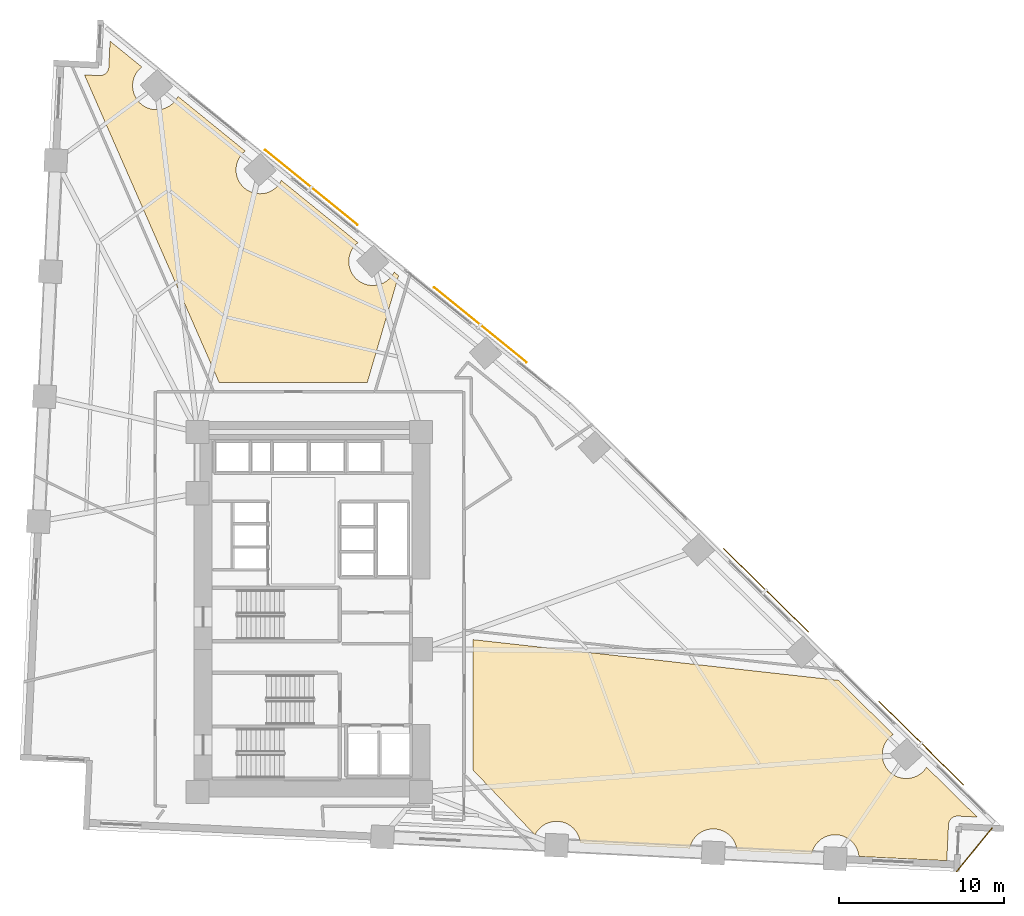
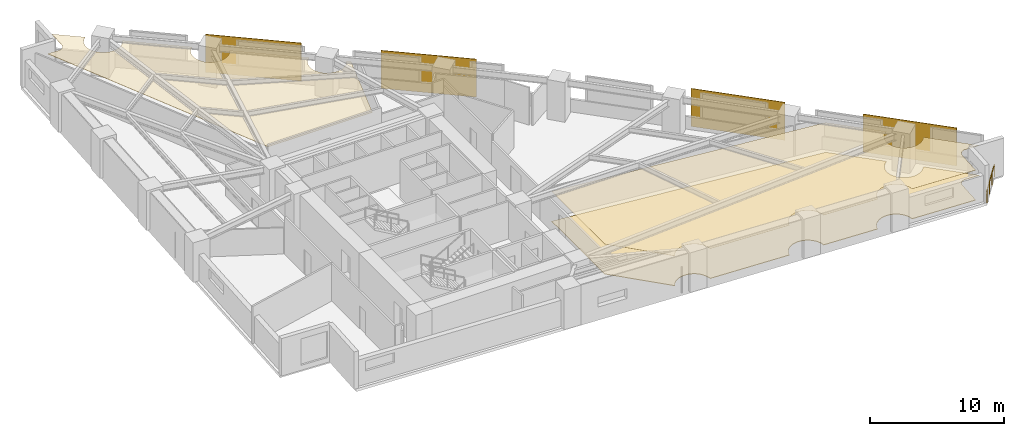
# One storey, part 17 of 17: 4 shading devices, 3 coverings, 1 railing.
"""IFC4 building model written with IfcOpenShell, lengths in metres."""

from ifc_helpers import new_model, si_unit, direction, frame, origin, origin_2d, place, context, subcontext, project, spatial, polyline, rectangle, circle, outline, extrude, material, layer, layer_set, type_object, element, save


model = new_model("IFC4")

# Units and contexts
model_context = context("Model", 3, precision=1e-05, world=origin(), true_north=direction((0.0, 1.0)))
body_context = subcontext(model_context, "Body", "Model", "MODEL_VIEW")
ifc_project = project(units=[si_unit("LENGTHUNIT", "METRE"), si_unit("AREAUNIT", "SQUARE_METRE"), si_unit("VOLUMEUNIT", "CUBIC_METRE"), si_unit("PLANEANGLEUNIT", "RADIAN"), si_unit("MASSUNIT", "GRAM", prefix="KILO")], contexts=[model_context])

# Site, building, storey
site_placement = place(None, origin())
site = spatial("IfcSite", under=ifc_project, at=site_placement, CompositionType="ELEMENT")
building_placement = place(site_placement, origin())
building = spatial("IfcBuilding", under=site, at=building_placement, Name="Narakoshi Arena Tower", CompositionType="ELEMENT")
storey_placement = place(building_placement, frame((0.0, 0.0, 48.300048828125)))
storey = spatial("IfcBuildingStorey", under=building, at=storey_placement, Name="L12", CompositionType="ELEMENT", Elevation=48.300048828125)

# Coverings
ifc_material_1 = material(Name="Acoustic mineral-fibre ceiling tile")
ifc_layer_1 = layer(ifc_material_1, 0.02001953125)
ifc_layer_set_1 = layer_set([ifc_layer_1], Name="Acoustic mineral-fibre ceiling tile")
covering_type_1 = type_object("IfcCoveringType", Name="COV-CLG-AC20", PredefinedType="CEILING", material=ifc_layer_set_1)
covering_1_placement = place(storey_placement, frame((0.0, 0.0, 2.72998046875)))
element("IfcCovering", 1, at=covering_1_placement, inside=storey, type_object=covering_type_1, Name="L12 Suspended Acoustic Ceiling 1", PredefinedType="CEILING", context=body_context, shape_type="SweptSolid", body=[
    extrude(outline(polyline([(118.080810546875, 33.24267578125), (118.02685546875, 33.24267578125), (117.97314453125, 33.2373046875), (117.920166015625, 33.226806640625), (117.868408203125, 33.2109375), (117.818603515625, 33.190185546875), (117.77099609375, 33.164794921875), (117.726318359375, 33.134765625), (117.6845703125, 33.100341796875), (117.646484375, 33.062255859375), (117.6123046875, 33.0205078125), (117.582275390625, 32.9755859375), (117.556884765625, 32.927978515625), (117.536376953125, 32.8779296875), (117.520751953125, 32.826416015625), (117.51025390625, 32.7734375), (117.5048828125, 32.7197265625), (117.400390625, 30.542236328125), (112.07958984375, 30.7978515625), (112.079345703125, 30.803955078125), (112.05859375, 30.94482421875), (112.02392578125, 31.082763671875), (111.97607421875, 31.216796875), (111.915283203125, 31.345458984375), (111.842041015625, 31.467529296875), (111.75732421875, 31.581787109375), (111.66162109375, 31.687255859375), (111.556396484375, 31.78271484375), (111.44189453125, 31.867431640625), (111.31982421875, 31.940673828125), (111.19140625, 32.00146484375), (111.057373046875, 32.049560546875), (110.919189453125, 32.083984375), (110.778564453125, 32.10498046875), (110.636474609375, 32.11181640625), (110.494384765625, 32.10498046875), (110.353515625, 32.083984375), (110.215576171875, 32.049560546875), (110.08154296875, 32.00146484375), (109.952880859375, 31.940673828125), (109.830810546875, 31.867431640625), (109.716552734375, 31.78271484375), (109.611083984375, 31.687255859375), (109.515380859375, 31.581787109375), (109.430908203125, 31.467529296875), (109.357666015625, 31.345458984375), (109.296875, 31.216796875), (109.248779296875, 31.082763671875), (109.21435546875, 30.94482421875), (109.212890625, 30.935546875), (104.6962890625, 31.15234375), (104.69580078125, 31.15869140625), (104.675048828125, 31.29931640625), (104.640380859375, 31.4375), (104.592529296875, 31.5712890625), (104.53173828125, 31.699951171875), (104.45849609375, 31.822021484375), (104.373779296875, 31.936279296875), (104.2783203125, 32.041748046875), (104.1728515625, 32.137451171875), (104.05859375, 32.22216796875), (103.936279296875, 32.29541015625), (103.807861328125, 32.356201171875), (103.673828125, 32.404052734375), (103.535888671875, 32.438720703125), (103.39501953125, 32.45947265625), (103.2529296875, 32.466552734375), (103.11083984375, 32.45947265625), (102.969970703125, 32.438720703125), (102.83203125, 32.404052734375), (102.697998046875, 32.356201171875), (102.5693359375, 32.29541015625), (102.447265625, 32.22216796875), (102.3330078125, 32.137451171875), (102.2275390625, 32.041748046875), (102.132080078125, 31.936279296875), (102.04736328125, 31.822021484375), (101.97412109375, 31.699951171875), (101.913330078125, 31.5712890625), (101.865234375, 31.4375), (101.830810546875, 31.29931640625), (101.829345703125, 31.290283203125), (95.203125, 31.6083984375), (95.202880859375, 31.614501953125), (95.181884765625, 31.75537109375), (95.1474609375, 31.893310546875), (95.099609375, 32.02734375), (95.038818359375, 32.156005859375), (94.965576171875, 32.278076171875), (94.880859375, 32.392333984375), (94.78515625, 32.497802734375), (94.6796875, 32.593505859375), (94.5654296875, 32.677978515625), (94.443359375, 32.751220703125), (94.314697265625, 32.81201171875), (94.180908203125, 32.860107421875), (94.042724609375, 32.89453125), (93.902099609375, 32.91552734375), (93.760009765625, 32.922607421875), (93.617919921875, 32.91552734375), (93.47705078125, 32.89453125), (93.339111328125, 32.860107421875), (93.205078125, 32.81201171875), (93.076416015625, 32.751220703125), (92.954345703125, 32.677978515625), (92.840087890625, 32.593505859375), (92.734619140625, 32.497802734375), (92.638916015625, 32.392333984375), (92.55419921875, 32.278076171875), (92.481201171875, 32.156005859375), (92.454833984375, 32.100341796875), (88.699951171875, 36.036376953125), (88.699951171875, 43.932861328125), (108.492919921875, 41.730224609375), (108.501708984375, 41.72900390625), (108.5068359375, 41.728515625), (110.827880859375, 41.47021484375), (114.159912109375, 38.189453125), (114.13671875, 38.175537109375), (114.022216796875, 38.0908203125), (113.9169921875, 37.9951171875), (113.8212890625, 37.889892578125), (113.736572265625, 37.775390625), (113.663330078125, 37.6533203125), (113.6025390625, 37.52490234375), (113.5546875, 37.390869140625), (113.52001953125, 37.252685546875), (113.499267578125, 37.112060546875), (113.4921875, 36.969970703125), (113.499267578125, 36.827880859375), (113.52001953125, 36.68701171875), (113.5546875, 36.549072265625), (113.6025390625, 36.4150390625), (113.663330078125, 36.286376953125), (113.736572265625, 36.164306640625), (113.8212890625, 36.050048828125), (113.9169921875, 35.944580078125), (114.022216796875, 35.84912109375), (114.13671875, 35.764404296875), (114.2587890625, 35.691162109375), (114.38720703125, 35.63037109375), (114.521240234375, 35.582275390625), (114.6591796875, 35.5478515625), (114.800048828125, 35.52685546875), (114.942138671875, 35.52001953125), (115.084228515625, 35.52685546875), (115.22509765625, 35.5478515625), (115.363037109375, 35.582275390625), (115.4970703125, 35.63037109375), (115.625732421875, 35.691162109375), (115.747802734375, 35.764404296875), (115.862060546875, 35.84912109375), (115.967529296875, 35.944580078125), (116.06298828125, 36.050048828125), (116.147705078125, 36.164306640625), (116.17333984375, 36.206787109375), (119.239990234375, 33.18701171875), (118.080810546875, 33.24267578125)])), origin(), (0.0, 0.0, 1.0), 0.02001953125),
])
ifc_material_2 = material(Name="Slatted oak acoustic timber baffle", Category="wood")
ifc_layer_2 = layer(ifc_material_2, 0.034912109375)
ifc_layer_set_2 = layer_set([ifc_layer_2], Name="Slatted oak acoustic timber baffle")
covering_type_2 = type_object("IfcCoveringType", Name="COV-CLG-WD35", PredefinedType="CEILING", material=ifc_layer_set_2)
covering_2_placement = place(storey_placement, frame((0.0, 0.0, 2.71484375)))
element("IfcCovering", 2, at=covering_2_placement, inside=storey, type_object=covering_type_2, Name="L12 Suspended Acoustic Ceiling 2", PredefinedType="CEILING", context=body_context, shape_type="SweptSolid", body=[
    extrude(outline(polyline([(66.1171875, 78.10009765625), (66.1708984375, 78.10546875), (66.2236328125, 78.1162109375), (66.275390625, 78.1318359375), (66.3251953125, 78.152587890625), (66.372802734375, 78.177978515625), (66.41748046875, 78.2080078125), (66.459228515625, 78.242431640625), (66.497314453125, 78.280517578125), (66.531494140625, 78.322509765625), (66.5615234375, 78.3671875), (66.5869140625, 78.414794921875), (66.607666015625, 78.46484375), (66.623291015625, 78.516357421875), (66.633544921875, 78.5693359375), (66.638916015625, 78.623046875), (66.7138671875, 80.185302734375), (68.63623046875, 78.622802734375), (68.611083984375, 78.60400390625), (68.505615234375, 78.508544921875), (68.41015625, 78.403076171875), (68.325439453125, 78.288818359375), (68.252197265625, 78.166748046875), (68.19140625, 78.0380859375), (68.143310546875, 77.904052734375), (68.10888671875, 77.76611328125), (68.087890625, 77.625244140625), (68.0810546875, 77.483154296875), (68.087890625, 77.341064453125), (68.10888671875, 77.2001953125), (68.143310546875, 77.062255859375), (68.19140625, 76.92822265625), (68.252197265625, 76.7998046875), (68.325439453125, 76.677490234375), (68.41015625, 76.563232421875), (68.505615234375, 76.4580078125), (68.611083984375, 76.3623046875), (68.725341796875, 76.277587890625), (68.847412109375, 76.204345703125), (68.97607421875, 76.1435546875), (69.110107421875, 76.095703125), (69.248046875, 76.06103515625), (69.388916015625, 76.040283203125), (69.531005859375, 76.033203125), (69.673095703125, 76.040283203125), (69.81396484375, 76.06103515625), (69.951904296875, 76.095703125), (70.0859375, 76.1435546875), (70.214599609375, 76.204345703125), (70.336669921875, 76.277587890625), (70.450927734375, 76.3623046875), (70.556396484375, 76.4580078125), (70.65185546875, 76.563232421875), (70.736572265625, 76.677490234375), (70.809814453125, 76.7998046875), (70.8291015625, 76.84033203125), (74.899658203125, 73.531982421875), (74.87451171875, 73.51318359375), (74.76904296875, 73.417724609375), (74.67333984375, 73.312255859375), (74.588623046875, 73.197998046875), (74.515380859375, 73.075927734375), (74.45458984375, 72.947265625), (74.40673828125, 72.813232421875), (74.372314453125, 72.67529296875), (74.351318359375, 72.534423828125), (74.34423828125, 72.392333984375), (74.351318359375, 72.250244140625), (74.372314453125, 72.109619140625), (74.40673828125, 71.971435546875), (74.45458984375, 71.83740234375), (74.515380859375, 71.708984375), (74.588623046875, 71.5869140625), (74.67333984375, 71.472412109375), (74.76904296875, 71.3671875), (74.87451171875, 71.271484375), (74.98876953125, 71.186767578125), (75.11083984375, 71.113525390625), (75.239501953125, 71.052734375), (75.373291015625, 71.0048828125), (75.511474609375, 70.97021484375), (75.652099609375, 70.949462890625), (75.794189453125, 70.9423828125), (75.936279296875, 70.949462890625), (76.0771484375, 70.97021484375), (76.215087890625, 71.0048828125), (76.34912109375, 71.052734375), (76.477783203125, 71.113525390625), (76.599853515625, 71.186767578125), (76.714111328125, 71.271484375), (76.819580078125, 71.3671875), (76.915283203125, 71.472412109375), (77.0, 71.5869140625), (77.072998046875, 71.708984375), (77.09228515625, 71.74951171875), (81.732421875, 67.978271484375), (81.70703125, 67.959716796875), (81.601806640625, 67.864013671875), (81.506103515625, 67.758544921875), (81.42138671875, 67.644287109375), (81.34814453125, 67.522216796875), (81.287353515625, 67.3935546875), (81.239501953125, 67.259521484375), (81.204833984375, 67.12158203125), (81.18408203125, 66.980712890625), (81.177001953125, 66.838623046875), (81.18408203125, 66.696533203125), (81.204833984375, 66.555908203125), (81.239501953125, 66.417724609375), (81.287353515625, 66.28369140625), (81.34814453125, 66.1552734375), (81.42138671875, 66.033203125), (81.506103515625, 65.918701171875), (81.601806640625, 65.8134765625), (81.70703125, 65.7177734375), (81.8212890625, 65.633056640625), (81.943603515625, 65.559814453125), (82.072021484375, 65.4990234375), (82.2060546875, 65.451171875), (82.343994140625, 65.41650390625), (82.48486328125, 65.395751953125), (82.626953125, 65.388671875), (82.76904296875, 65.395751953125), (82.909912109375, 65.41650390625), (83.0478515625, 65.451171875), (83.181884765625, 65.4990234375), (83.310546875, 65.559814453125), (83.4326171875, 65.633056640625), (83.546875, 65.7177734375), (83.65234375, 65.8134765625), (83.747802734375, 65.918701171875), (83.83251953125, 66.033203125), (83.90576171875, 66.1552734375), (83.925048828125, 66.196044921875), (84.192626953125, 65.978515625), (82.292236328125, 59.5), (73.326416015625, 59.5), (65.161865234375, 78.143310546875), (66.06298828125, 78.10009765625), (66.1171875, 78.10009765625)])), origin(), (0.0, 0.0, 1.0), 0.03515625),
])
ifc_material_3 = material(Name="Raised steel access floor panel", Category="steel")
ifc_layer_3 = layer(ifc_material_3, 0.044921875)
ifc_layer_set_3 = layer_set([ifc_layer_3], Name="Raised steel access floor panel")
covering_type_3 = type_object("IfcCoveringType", Name="COV-FLR-RF45", PredefinedType="FLOORING", material=ifc_layer_set_3)
covering_3_placement = place(storey_placement, origin())
element("IfcCovering", 3, at=covering_3_placement, inside=storey, type_object=covering_type_3, Name="L12 Raised Steel Access Floor", PredefinedType="FLOORING", context=body_context, shape_type="SweptSolid", body=[
    extrude(outline(polyline([(118.080810546875, 33.24267578125), (118.02685546875, 33.24267578125), (117.97314453125, 33.2373046875), (117.920166015625, 33.226806640625), (117.868408203125, 33.2109375), (117.818603515625, 33.190185546875), (117.77099609375, 33.164794921875), (117.726318359375, 33.134765625), (117.6845703125, 33.100341796875), (117.646484375, 33.062255859375), (117.6123046875, 33.0205078125), (117.582275390625, 32.9755859375), (117.556884765625, 32.927978515625), (117.536376953125, 32.8779296875), (117.520751953125, 32.826416015625), (117.51025390625, 32.7734375), (117.5048828125, 32.7197265625), (117.400390625, 30.542236328125), (112.07958984375, 30.7978515625), (112.079345703125, 30.803955078125), (112.05859375, 30.94482421875), (112.02392578125, 31.082763671875), (111.97607421875, 31.216796875), (111.915283203125, 31.345458984375), (111.842041015625, 31.467529296875), (111.75732421875, 31.581787109375), (111.66162109375, 31.687255859375), (111.556396484375, 31.78271484375), (111.44189453125, 31.867431640625), (111.31982421875, 31.940673828125), (111.19140625, 32.00146484375), (111.057373046875, 32.049560546875), (110.919189453125, 32.083984375), (110.778564453125, 32.10498046875), (110.636474609375, 32.11181640625), (110.494384765625, 32.10498046875), (110.353515625, 32.083984375), (110.215576171875, 32.049560546875), (110.08154296875, 32.00146484375), (109.952880859375, 31.940673828125), (109.830810546875, 31.867431640625), (109.716552734375, 31.78271484375), (109.611083984375, 31.687255859375), (109.515380859375, 31.581787109375), (109.430908203125, 31.467529296875), (109.357666015625, 31.345458984375), (109.296875, 31.216796875), (109.248779296875, 31.082763671875), (109.21435546875, 30.94482421875), (109.212890625, 30.935546875), (104.6962890625, 31.15234375), (104.69580078125, 31.15869140625), (104.675048828125, 31.29931640625), (104.640380859375, 31.4375), (104.592529296875, 31.5712890625), (104.53173828125, 31.699951171875), (104.45849609375, 31.822021484375), (104.373779296875, 31.936279296875), (104.2783203125, 32.041748046875), (104.1728515625, 32.137451171875), (104.05859375, 32.22216796875), (103.936279296875, 32.29541015625), (103.807861328125, 32.356201171875), (103.673828125, 32.404052734375), (103.535888671875, 32.438720703125), (103.39501953125, 32.45947265625), (103.2529296875, 32.466552734375), (103.11083984375, 32.45947265625), (102.969970703125, 32.438720703125), (102.83203125, 32.404052734375), (102.697998046875, 32.356201171875), (102.5693359375, 32.29541015625), (102.447265625, 32.22216796875), (102.3330078125, 32.137451171875), (102.2275390625, 32.041748046875), (102.132080078125, 31.936279296875), (102.04736328125, 31.822021484375), (101.97412109375, 31.699951171875), (101.913330078125, 31.5712890625), (101.865234375, 31.4375), (101.830810546875, 31.29931640625), (101.829345703125, 31.290283203125), (95.203125, 31.6083984375), (95.202880859375, 31.614501953125), (95.181884765625, 31.75537109375), (95.1474609375, 31.893310546875), (95.099609375, 32.02734375), (95.038818359375, 32.156005859375), (94.965576171875, 32.278076171875), (94.880859375, 32.392333984375), (94.78515625, 32.497802734375), (94.6796875, 32.593505859375), (94.5654296875, 32.677978515625), (94.443359375, 32.751220703125), (94.314697265625, 32.81201171875), (94.180908203125, 32.860107421875), (94.042724609375, 32.89453125), (93.902099609375, 32.91552734375), (93.760009765625, 32.922607421875), (93.617919921875, 32.91552734375), (93.47705078125, 32.89453125), (93.339111328125, 32.860107421875), (93.205078125, 32.81201171875), (93.076416015625, 32.751220703125), (92.954345703125, 32.677978515625), (92.840087890625, 32.593505859375), (92.734619140625, 32.497802734375), (92.638916015625, 32.392333984375), (92.55419921875, 32.278076171875), (92.481201171875, 32.156005859375), (92.454833984375, 32.100341796875), (88.699951171875, 36.036376953125), (88.699951171875, 43.932861328125), (108.492919921875, 41.730224609375), (108.501708984375, 41.72900390625), (108.5068359375, 41.728515625), (110.827880859375, 41.47021484375), (114.159912109375, 38.189453125), (114.13671875, 38.175537109375), (114.022216796875, 38.0908203125), (113.9169921875, 37.9951171875), (113.8212890625, 37.889892578125), (113.736572265625, 37.775390625), (113.663330078125, 37.6533203125), (113.6025390625, 37.52490234375), (113.5546875, 37.390869140625), (113.52001953125, 37.252685546875), (113.499267578125, 37.112060546875), (113.4921875, 36.969970703125), (113.499267578125, 36.827880859375), (113.52001953125, 36.68701171875), (113.5546875, 36.549072265625), (113.6025390625, 36.4150390625), (113.663330078125, 36.286376953125), (113.736572265625, 36.164306640625), (113.8212890625, 36.050048828125), (113.9169921875, 35.944580078125), (114.022216796875, 35.84912109375), (114.13671875, 35.764404296875), (114.2587890625, 35.691162109375), (114.38720703125, 35.63037109375), (114.521240234375, 35.582275390625), (114.6591796875, 35.5478515625), (114.800048828125, 35.52685546875), (114.942138671875, 35.52001953125), (115.084228515625, 35.52685546875), (115.22509765625, 35.5478515625), (115.363037109375, 35.582275390625), (115.4970703125, 35.63037109375), (115.625732421875, 35.691162109375), (115.747802734375, 35.764404296875), (115.862060546875, 35.84912109375), (115.967529296875, 35.944580078125), (116.06298828125, 36.050048828125), (116.147705078125, 36.164306640625), (116.17333984375, 36.206787109375), (119.239990234375, 33.18701171875), (118.080810546875, 33.24267578125)])), origin(), (0.0, 0.0, 1.0), 0.044921875),
])

# Railing
ifc_material_4 = material(Name="Brushed bronze stainless steel", Category="steel")
railing_type = type_object("IfcRailingType", Name="RL-GRD-1150", PredefinedType="GUARDRAIL", material=ifc_material_4)
railing_placement = place(storey_placement, frame((117.99951171875, 29.8828125, 0.0)))
element("IfcRailing", 4, at=railing_placement, inside=storey, type_object=railing_type, Name="L12 Corner Loggia Balcony Guardrail", PredefinedType="GUARDRAIL", context=body_context, shape_type="SweptSolid", body=[
    extrude(circle(Radius=0.02392578125, at=origin_2d()), frame((0.0, 0.0, 1.1259765625), z_axis=(0.632744421059, 0.774360702527, 0.0), x_axis=(-0.774360702527, 0.632744421059, 0.0)), (0.0, 0.0, 1.0), 3.396240234375),
    extrude(circle(Radius=0.02099609375, at=origin_2d()), origin(), (0.0, 0.0, 1.0), 1.101806640625),
    extrude(circle(Radius=0.02099609375, at=origin_2d()), frame((0.71630859375, 0.876708984375, 0.0)), (0.0, 0.0, 1.0), 1.101806640625),
    extrude(circle(Radius=0.02099609375, at=origin_2d()), frame((1.4326171875, 1.753173828125, 0.0)), (0.0, 0.0, 1.0), 1.101806640625),
    extrude(circle(Radius=0.02099609375, at=origin_2d()), frame((2.14892578125, 2.6298828125, 0.0)), (0.0, 0.0, 1.0), 1.101806640625),
])

# Shading devices
ifc_material_5 = material(Name="Perforated bronze ceramic-metal composite")
ifc_layer_4 = layer(ifc_material_5, 0.044921875)
ifc_layer_set_4 = layer_set([ifc_layer_4], Name="Perforated bronze ceramic-metal composite")
shading_device_type = type_object("IfcShadingDeviceType", Name="SHD-SCR-BRZ1", PredefinedType="USERDEFINED", material=ifc_layer_set_4)
for number, where, z_axis, x_axis, name in (
    (5, (115.85498046875, 37.660400390625, 0.0), (0.0, 0.0, 1.0), (-0.712540559713, 0.70163092204, 0.0), "L12 Perforated Bronze Solar Screen 1-1"),
    (6, (106.44970703125, 46.921875, 0.0), (0.0, 0.0, 1.0), (-0.712540559713, 0.70163092204, 0.0), "L12 Perforated Bronze Solar Screen 1-2"),
    (7, (89.14208984375, 63.002685546875, 0.0), (0.0, 0.0, 1.0), (-0.776002375698, 0.630729984154, 0.0), "L12 Perforated Bronze Solar Screen 2-1"),
    (8, (78.898681640625, 71.328369140625, 0.0), (0.0, 0.0, 1.0), (-0.776002375698, 0.630729984154, 0.0), "L12 Perforated Bronze Solar Screen 2-2"),
):
    element("IfcShadingDevice", number, at=place(storey_placement, frame(where, z_axis=z_axis, x_axis=x_axis)), inside=storey, type_object=shading_device_type, Name=name, ObjectType="SOLAR SCREEN", PredefinedType="USERDEFINED", context=body_context, shape_type="SweptSolid", body=[
        extrude(rectangle(XDim=7.199951171875, YDim=0.044921875, at=origin_2d()), origin(), (0.0, 0.0, 1.0), 3.449951171875),
    ])

save(model, "model.ifc")
